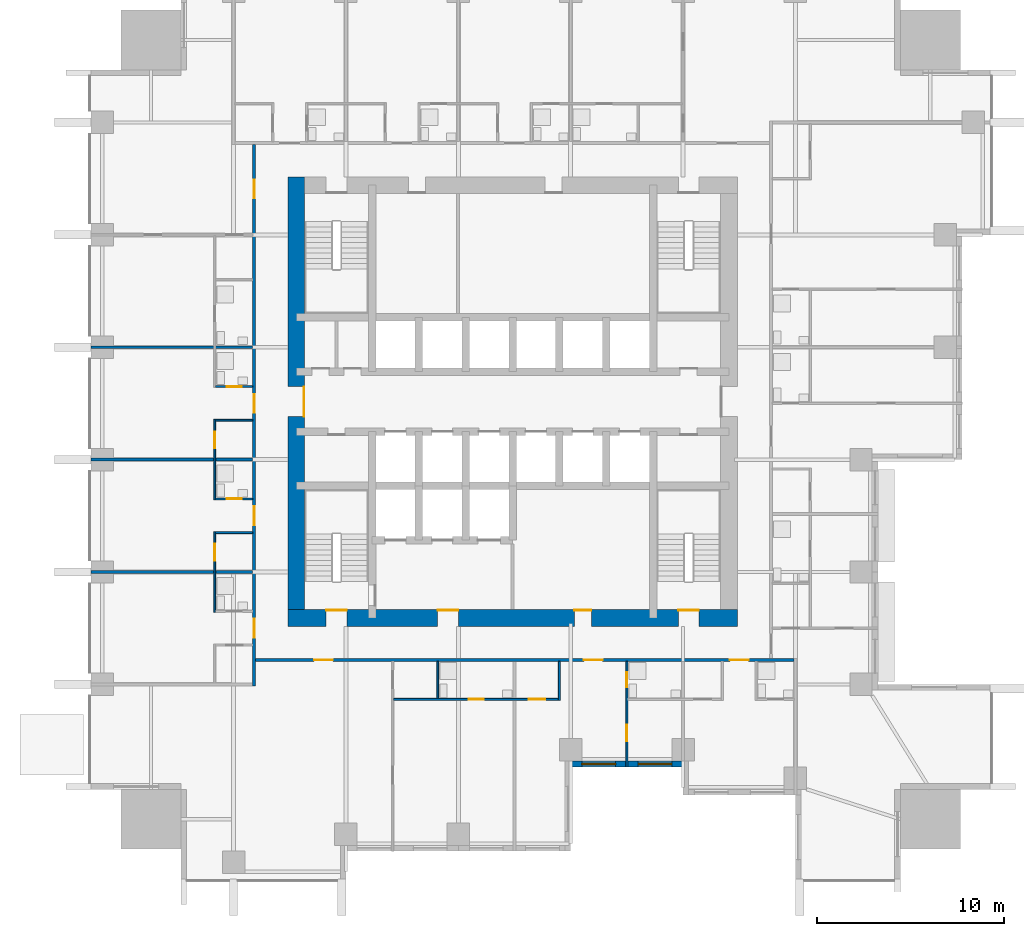
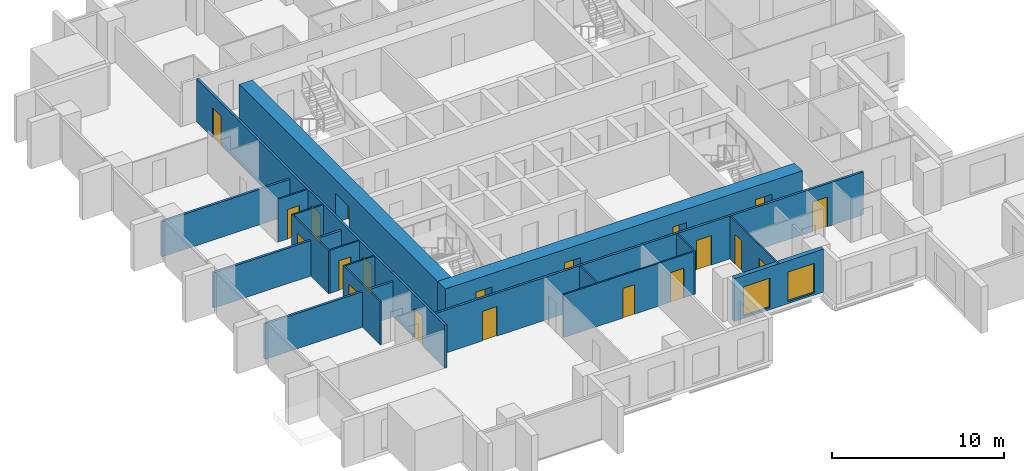
# One storey, part 4 of 10: 20 doors, 18 walls, 2 windows, 22 openings.
"""IFC4 building model written with IfcOpenShell, lengths in metres."""

from ifc_helpers import new_model, si_unit, direction, frame, frame_2d, origin, place, context, subcontext, project, spatial, rectangle, extrude, material, layer, layer_set, type_object, element, fill, save


model = new_model("IFC4")

# Units and contexts
model_context = context("Model", 3, precision=1e-05, world=origin(), true_north=direction((0.0, 1.0)))
body_context = subcontext(model_context, "Body", "Model", "MODEL_VIEW")
ifc_project = project(units=[si_unit("LENGTHUNIT", "METRE"), si_unit("AREAUNIT", "SQUARE_METRE"), si_unit("VOLUMEUNIT", "CUBIC_METRE"), si_unit("PLANEANGLEUNIT", "RADIAN"), si_unit("MASSUNIT", "GRAM", prefix="KILO")], contexts=[model_context])

# Site, building, storey
site_placement = place(None, origin())
site = spatial("IfcSite", under=ifc_project, at=site_placement, CompositionType="ELEMENT")
building_placement = place(site_placement, origin())
building = spatial("IfcBuilding", under=site, at=building_placement, Name="Amberfall Residences", CompositionType="ELEMENT")
storey_placement = place(building_placement, frame((0.0, 0.0, 26.800048828125)))
storey = spatial("IfcBuildingStorey", under=building, at=storey_placement, Name="L06", CompositionType="ELEMENT", Elevation=26.800048828125)

# Wall, openings, windows
ifc_material_1 = material(Name="Pale stone cladding on insulated backing", Category="masonry")
ifc_layer_1 = layer(ifc_material_1, 0.300048828125)
ifc_layer_set_1 = layer_set([ifc_layer_1], Name="Bronze clad wall 300")
wall_type_1 = type_object("IfcWallType", Name="Bronze clad wall 300", PredefinedType="SOLIDWALL", material=ifc_layer_set_1)
wall_1_placement = place(storey_placement, frame((77.60009765625, 26.14990234375, 0.0), z_axis=(0.0, 0.0, 1.0), x_axis=(1.0, 0.0, 0.0)))
wall_1 = element("IfcWall", 1, at=wall_1_placement, inside=storey, type_object=wall_type_1, Name="Stone wall L06 S", PredefinedType="SOLIDWALL", context=body_context, shape_type="SweptSolid", body=[
    extrude(rectangle(XDim=6.0, YDim=0.300048828125, at=frame_2d((3.0, 0.0))), origin(), (0.0, 0.0, 1.0), 3.050048828125),
])
opening_1_placement = place(wall_1_placement, frame((0.60009765625, 0.0, 0.14990234375)))
opening_1 = element("IfcOpeningElement", 2, at=opening_1_placement, cuts=wall_1, Name="Opening WN6", PredefinedType="OPENING", context=body_context, shape_type="SweptSolid", body=[
    extrude(rectangle(XDim=1.800048828125, YDim=2.10009765625, at=frame_2d((0.89990234375, 1.050048828125))), frame((0.0, 0.159912109375, 0.0), z_axis=(0.0, -1.0, 0.0), x_axis=(1.0, 0.0, 0.0)), (0.0, 0.0, 1.0), 0.320068359375),
])
opening_2_placement = place(wall_1_placement, frame((3.60009765625, 0.0, 0.14990234375)))
opening_2 = element("IfcOpeningElement", 3, at=opening_2_placement, cuts=wall_1, Name="Opening WN6", PredefinedType="OPENING", context=body_context, shape_type="SweptSolid", body=[
    extrude(rectangle(XDim=1.800048828125, YDim=2.10009765625, at=frame_2d((0.89990234375, 1.050048828125))), frame((0.0, 0.159912109375, 0.0), z_axis=(0.0, -1.0, 0.0), x_axis=(1.0, 0.0, 0.0)), (0.0, 0.0, 1.0), 0.320068359375),
])
ifc_material_2 = material(Name="Bronze aluminium framed glazing", Category="aluminium")
window_type = type_object("IfcWindowType", Name="Glazed opening 1800 x 2100 bronze", PartitioningType="DOUBLE_PANEL_VERTICAL", PredefinedType="WINDOW", material=ifc_material_2)
window_1_placement = place(opening_1_placement, origin())
window_1 = element("IfcWindow", 4, at=window_1_placement, inside=storey, type_object=window_type, Name="Window L06 S", OverallHeight=2.10009765625, OverallWidth=1.800048828125, PartitioningType="DOUBLE_PANEL_VERTICAL", PredefinedType="WINDOW", context=body_context, shape_type="SweptSolid", body=[
    extrude(rectangle(XDim=1.800048828125, YDim=2.10009765625, at=frame_2d((0.89990234375, 1.050048828125))), frame((0.0, 0.030029296875, 0.0), z_axis=(0.0, -1.0, 0.0), x_axis=(1.0, 0.0, 0.0)), (0.0, 0.0, 1.0), 0.06005859375),
])
fill(opening_1, window_1)
window_2_placement = place(opening_2_placement, origin())
window_2 = element("IfcWindow", 5, at=window_2_placement, inside=storey, type_object=window_type, Name="Window L06 S", OverallHeight=2.10009765625, OverallWidth=1.800048828125, PartitioningType="DOUBLE_PANEL_VERTICAL", PredefinedType="WINDOW", context=body_context, shape_type="SweptSolid", body=[
    extrude(rectangle(XDim=1.800048828125, YDim=2.10009765625, at=frame_2d((0.89990234375, 1.050048828125))), frame((0.0, 0.030029296875, 0.0), z_axis=(0.0, -1.0, 0.0), x_axis=(1.0, 0.0, 0.0)), (0.0, 0.0, 1.0), 0.06005859375),
])
fill(opening_2, window_2)

# Wall, openings, doors
ifc_material_3 = material(Name="Concrete C80", Category="concrete")
ifc_layer_2 = layer(ifc_material_3, 0.89990234375)
ifc_layer_set_2 = layer_set([ifc_layer_2], Name="Core wall 900 C80")
wall_type_2 = type_object("IfcWallType", Name="Core wall 900 C80", PredefinedType="SHEAR", material=ifc_layer_set_2)
wall_2_placement = place(storey_placement, frame((62.5, 33.949951171875, 0.0), z_axis=(0.0, 0.0, 1.0), x_axis=(1.0, 0.0, 0.0)))
wall_2 = element("IfcWall", 6, at=wall_2_placement, inside=storey, type_object=wall_type_2, Name="Core wall RW1 L06 OS", PredefinedType="SHEAR", context=body_context, shape_type="SweptSolid", body=[
    extrude(rectangle(XDim=24.0, YDim=0.89990234375, at=frame_2d((12.0, 0.0))), origin(), (0.0, 0.0, 1.0), 3.050048828125),
])
opening_3_placement = place(wall_2_placement, frame((2.050048828125, 0.0, 0.0)))
opening_3 = element("IfcOpeningElement", 7, at=opening_3_placement, cuts=wall_2, Name="Opening SD1", PredefinedType="OPENING", context=body_context, shape_type="SweptSolid", body=[
    extrude(rectangle(XDim=1.10009765625, YDim=2.10009765625, at=frame_2d((0.550048828125, 1.050048828125))), frame((0.0, 0.4599609375, 0.0), z_axis=(0.0, -1.0, 0.0), x_axis=(1.0, 0.0, 0.0)), (0.0, 0.0, 1.0), 0.919921875),
])
opening_4_placement = place(wall_2_placement, frame((20.85009765625, 0.0, 0.0)))
opening_4 = element("IfcOpeningElement", 8, at=opening_4_placement, cuts=wall_2, Name="Opening SD1", PredefinedType="OPENING", context=body_context, shape_type="SweptSolid", body=[
    extrude(rectangle(XDim=1.10009765625, YDim=2.10009765625, at=frame_2d((0.550048828125, 1.050048828125))), frame((0.0, 0.4599609375, 0.0), z_axis=(0.0, -1.0, 0.0), x_axis=(1.0, 0.0, 0.0)), (0.0, 0.0, 1.0), 0.919921875),
])
opening_5_placement = place(wall_2_placement, frame((8.0, 0.0, 0.0)))
opening_5 = element("IfcOpeningElement", 9, at=opening_5_placement, cuts=wall_2, Name="Opening FL1", PredefinedType="OPENING", context=body_context, shape_type="SweptSolid", body=[
    extrude(rectangle(XDim=1.10009765625, YDim=2.10009765625, at=frame_2d((0.550048828125, 1.050048828125))), frame((0.0, 0.4599609375, 0.0), z_axis=(0.0, -1.0, 0.0), x_axis=(1.0, 0.0, 0.0)), (0.0, 0.0, 1.0), 0.919921875),
])
opening_6_placement = place(wall_2_placement, frame((15.300048828125, 0.0, 0.0)))
opening_6 = element("IfcOpeningElement", 10, at=opening_6_placement, cuts=wall_2, Name="Opening RD1", PredefinedType="OPENING", context=body_context, shape_type="SweptSolid", body=[
    extrude(rectangle(XDim=0.89990234375, YDim=2.10009765625, at=frame_2d((0.449951171875, 1.050048828125))), frame((0.0, 0.4599609375, 0.0), z_axis=(0.0, -1.0, 0.0), x_axis=(1.0, 0.0, 0.0)), (0.0, 0.0, 1.0), 0.919921875),
])
ifc_material_4 = material(Name="Steel fire door set", Category="steel")
door_type_1 = type_object("IfcDoorType", Name="Firefighting lobby door 1100 x 2100", OperationType="SINGLE_SWING_LEFT", PredefinedType="DOOR", material=ifc_material_4)
door_1_placement = place(opening_5_placement, origin())
door_1 = element("IfcDoor", 11, at=door_1_placement, inside=storey, type_object=door_type_1, Name="FL1 L06", OperationType="SINGLE_SWING_LEFT", OverallHeight=2.10009765625, OverallWidth=1.10009765625, PredefinedType="DOOR", context=body_context, shape_type="SweptSolid", body=[
    extrude(rectangle(XDim=1.10009765625, YDim=2.10009765625, at=frame_2d((0.550048828125, 1.050048828125))), frame((0.0, 0.4375, 0.0), z_axis=(0.0, -1.0, 0.0), x_axis=(1.0, 0.0, 0.0)), (0.0, 0.0, 1.0), 0.050048828125),
])
fill(opening_5, door_1)
door_type_2 = type_object("IfcDoorType", Name="Service room door 900 x 2100", OperationType="SINGLE_SWING_LEFT", PredefinedType="DOOR", material=ifc_material_4)
door_2_placement = place(opening_6_placement, origin())
door_2 = element("IfcDoor", 12, at=door_2_placement, inside=storey, type_object=door_type_2, Name="RD1 L06", OperationType="SINGLE_SWING_LEFT", OverallHeight=2.10009765625, OverallWidth=0.89990234375, PredefinedType="DOOR", context=body_context, shape_type="SweptSolid", body=[
    extrude(rectangle(XDim=0.89990234375, YDim=2.10009765625, at=frame_2d((0.449951171875, 1.050048828125))), frame((0.0, 0.4375, 0.0), z_axis=(0.0, -1.0, 0.0), x_axis=(1.0, 0.0, 0.0)), (0.0, 0.0, 1.0), 0.050048828125),
])
fill(opening_6, door_2)
door_type_3 = type_object("IfcDoorType", Name="Stair door 1100 x 2100", OperationType="SINGLE_SWING_LEFT", PredefinedType="DOOR", material=ifc_material_4)
door_3_placement = place(opening_3_placement, origin())
door_3 = element("IfcDoor", 13, at=door_3_placement, inside=storey, type_object=door_type_3, Name="SD1 L06", OperationType="SINGLE_SWING_LEFT", OverallHeight=2.10009765625, OverallWidth=1.10009765625, PredefinedType="DOOR", context=body_context, shape_type="SweptSolid", body=[
    extrude(rectangle(XDim=1.10009765625, YDim=2.10009765625, at=frame_2d((0.550048828125, 1.050048828125))), frame((0.0, 0.4375, 0.0), z_axis=(0.0, -1.0, 0.0), x_axis=(1.0, 0.0, 0.0)), (0.0, 0.0, 1.0), 0.050048828125),
])
fill(opening_3, door_3)
door_4_placement = place(opening_4_placement, origin())
door_4 = element("IfcDoor", 14, at=door_4_placement, inside=storey, type_object=door_type_3, Name="SD1 L06", OperationType="SINGLE_SWING_RIGHT", OverallHeight=2.10009765625, OverallWidth=1.10009765625, PredefinedType="DOOR", context=body_context, shape_type="SweptSolid", body=[
    extrude(rectangle(XDim=1.10009765625, YDim=2.10009765625, at=frame_2d((0.550048828125, 1.050048828125))), frame((0.0, 0.4375, 0.0), z_axis=(0.0, -1.0, 0.0), x_axis=(1.0, 0.0, 0.0)), (0.0, 0.0, 1.0), 0.050048828125),
])
fill(opening_4, door_4)

# Wall, opening, door
wall_3_placement = place(storey_placement, frame((62.949951171875, 33.5, 0.0), z_axis=(0.0, 0.0, 1.0), x_axis=(0.0, 1.0, 0.0)))
wall_3 = element("IfcWall", 15, at=wall_3_placement, inside=storey, type_object=wall_type_2, Name="Core wall RW1 L06 OW", PredefinedType="SHEAR", context=body_context, shape_type="SweptSolid", body=[
    extrude(rectangle(XDim=24.0, YDim=0.89990234375, at=frame_2d((12.0, 0.0))), origin(), (0.0, 0.0, 1.0), 3.050048828125),
])
opening_7_placement = place(wall_3_placement, frame((11.199951171875, 0.0, 0.0)))
opening_7 = element("IfcOpeningElement", 16, at=opening_7_placement, cuts=wall_3, Name="Opening LB1", PredefinedType="OPENING", context=body_context, shape_type="SweptSolid", body=[
    extrude(rectangle(XDim=1.60009765625, YDim=2.10009765625, at=frame_2d((0.800048828125, 1.050048828125))), frame((0.0, 0.4599609375, 0.0), z_axis=(0.0, -1.0, 0.0), x_axis=(1.0, 0.0, 0.0)), (0.0, 0.0, 1.0), 0.919921875),
])
door_type_4 = type_object("IfcDoorType", Name="Lift lobby double door 1600 x 2100", OperationType="DOUBLE_DOOR_SINGLE_SWING", PredefinedType="DOOR", material=ifc_material_4)
door_5_placement = place(opening_7_placement, origin())
door_5 = element("IfcDoor", 17, at=door_5_placement, inside=storey, type_object=door_type_4, Name="LB1 L06", OperationType="DOUBLE_DOOR_SINGLE_SWING", OverallHeight=2.10009765625, OverallWidth=1.60009765625, PredefinedType="DOOR", context=body_context, shape_type="SweptSolid", body=[
    extrude(rectangle(XDim=1.60009765625, YDim=2.10009765625, at=frame_2d((0.800048828125, 1.050048828125))), frame((0.0, -0.3876953125, 0.0), z_axis=(0.0, -1.0, 0.0), x_axis=(1.0, 0.0, 0.0)), (0.0, 0.0, 1.0), 0.050048828125),
])
fill(opening_7, door_5)

ifc_material_5 = material(Name="Gypsum board on metal stud")
ifc_layer_3 = layer(ifc_material_5, 0.10009765625)
ifc_layer_set_3 = layer_set([ifc_layer_3], Name="Flat partition 100")
wall_type_3 = type_object("IfcWallType", Name="Flat partition 100", PredefinedType="PARTITIONING", material=ifc_layer_set_3)
wall_4_placement = place(storey_placement, frame((58.60009765625, 38.550048828125, 0.0), z_axis=(0.0, 0.0, 1.0), x_axis=(0.0, -1.0, 0.0)))
wall_4 = element("IfcWall", 18, at=wall_4_placement, inside=storey, type_object=wall_type_3, Name="Partition 002", PredefinedType="PARTITIONING", context=body_context, shape_type="SweptSolid", body=[
    extrude(rectangle(XDim=4.300048828125, YDim=0.10009765625, at=frame_2d((2.14990234375, 0.0))), origin(), (0.0, 0.0, 1.0), 3.050048828125),
])
opening_8_placement = place(wall_4_placement, frame((0.64990234375, 0.0, 0.0)))
opening_8 = element("IfcOpeningElement", 19, at=opening_8_placement, cuts=wall_4, Name="Opening D41", PredefinedType="OPENING", context=body_context, shape_type="SweptSolid", body=[
    extrude(rectangle(XDim=0.89990234375, YDim=2.10009765625, at=frame_2d((0.449951171875, 1.050048828125))), frame((0.0, 0.06005859375, 0.0), z_axis=(0.0, -1.0, 0.0), x_axis=(1.0, 0.0, 0.0)), (0.0, 0.0, 1.0), 0.1201171875),
])
ifc_material_6 = material(Name="Timber", Category="wood")
door_type_5 = type_object("IfcDoorType", Name="Internal door 900 x 2100", OperationType="SINGLE_SWING_LEFT", PredefinedType="DOOR", material=ifc_material_6)
door_6_placement = place(opening_8_placement, origin())
door_6 = element("IfcDoor", 20, at=door_6_placement, inside=storey, type_object=door_type_5, Name="Door 0612 kitchen", OperationType="SINGLE_SWING_LEFT", OverallHeight=2.10009765625, OverallWidth=0.89990234375, PredefinedType="DOOR", context=body_context, shape_type="SweptSolid", body=[
    extrude(rectangle(XDim=0.89990234375, YDim=2.10009765625, at=frame_2d((0.449951171875, 1.050048828125))), frame((0.0, 0.02490234375, 0.0), z_axis=(0.0, -1.0, 0.0), x_axis=(1.0, 0.0, 0.0)), (0.0, 0.0, 1.0), 0.050048828125),
])
fill(opening_8, door_6)

wall_5_placement = place(storey_placement, frame((58.60009765625, 44.550048828125, 0.0), z_axis=(0.0, 0.0, 1.0), x_axis=(0.0, -1.0, 0.0)))
wall_5 = element("IfcWall", 21, at=wall_5_placement, inside=storey, type_object=wall_type_3, Name="Partition 003", PredefinedType="PARTITIONING", context=body_context, shape_type="SweptSolid", body=[
    extrude(rectangle(XDim=4.300048828125, YDim=0.10009765625, at=frame_2d((2.14990234375, 0.0))), origin(), (0.0, 0.0, 1.0), 3.050048828125),
])
opening_9_placement = place(wall_5_placement, frame((0.64990234375, 0.0, 0.0)))
opening_9 = element("IfcOpeningElement", 22, at=opening_9_placement, cuts=wall_5, Name="Opening D41", PredefinedType="OPENING", context=body_context, shape_type="SweptSolid", body=[
    extrude(rectangle(XDim=0.89990234375, YDim=2.10009765625, at=frame_2d((0.449951171875, 1.050048828125))), frame((0.0, 0.06005859375, 0.0), z_axis=(0.0, -1.0, 0.0), x_axis=(1.0, 0.0, 0.0)), (0.0, 0.0, 1.0), 0.1201171875),
])
door_7_placement = place(opening_9_placement, origin())
door_7 = element("IfcDoor", 23, at=door_7_placement, inside=storey, type_object=door_type_5, Name="Door 0613 kitchen", OperationType="SINGLE_SWING_LEFT", OverallHeight=2.10009765625, OverallWidth=0.89990234375, PredefinedType="DOOR", context=body_context, shape_type="SweptSolid", body=[
    extrude(rectangle(XDim=0.89990234375, YDim=2.10009765625, at=frame_2d((0.449951171875, 1.050048828125))), frame((0.0, 0.02490234375, 0.0), z_axis=(0.0, -1.0, 0.0), x_axis=(1.0, 0.0, 0.0)), (0.0, 0.0, 1.0), 0.050048828125),
])
fill(opening_9, door_7)

# Walls
wall_6_placement = place(storey_placement, frame((70.5, 29.64990234375, 0.0), z_axis=(0.0, 0.0, 1.0), x_axis=(0.0, 1.0, 0.0)))
element("IfcWall", 24, at=wall_6_placement, inside=storey, type_object=wall_type_3, Name="Partition 010", PredefinedType="PARTITIONING", context=body_context, shape_type="SweptSolid", body=[
    extrude(rectangle(XDim=1.97509765625, YDim=0.10009765625, at=frame_2d((0.987548828125, 0.0))), origin(), (0.0, 0.0, 1.0), 3.050048828125),
])
wall_7_placement = place(storey_placement, frame((77.0, 29.550048828125, 0.0), z_axis=(0.0, 0.0, 1.0), x_axis=(0.0, 1.0, 0.0)))
element("IfcWall", 25, at=wall_7_placement, inside=storey, type_object=wall_type_3, Name="Partition 013", PredefinedType="PARTITIONING", context=body_context, shape_type="SweptSolid", body=[
    extrude(rectangle(XDim=2.074951171875, YDim=0.10009765625, at=frame_2d((1.03759765625, 0.0))), origin(), (0.0, 0.0, 1.0), 3.050048828125),
])

# Wall, openings, doors
wall_8_placement = place(storey_placement, frame((80.60009765625, 31.625, 0.0), z_axis=(0.0, 0.0, 1.0), x_axis=(0.0, -1.0, 0.0)))
wall_8 = element("IfcWall", 26, at=wall_8_placement, inside=storey, type_object=wall_type_3, Name="Partition 014", PredefinedType="PARTITIONING", context=body_context, shape_type="SweptSolid", body=[
    extrude(rectangle(XDim=5.625, YDim=0.10009765625, at=frame_2d((2.8125, 0.0))), origin(), (0.0, 0.0, 1.0), 3.050048828125),
])
opening_10_placement = place(wall_8_placement, frame((3.375, 0.0, 0.0)))
opening_10 = element("IfcOpeningElement", 27, at=opening_10_placement, cuts=wall_8, Name="Opening D41", PredefinedType="OPENING", context=body_context, shape_type="SweptSolid", body=[
    extrude(rectangle(XDim=0.89990234375, YDim=2.10009765625, at=frame_2d((0.449951171875, 1.050048828125))), frame((0.0, 0.06005859375, 0.0), z_axis=(0.0, -1.0, 0.0), x_axis=(1.0, 0.0, 0.0)), (0.0, 0.0, 1.0), 0.1201171875),
])
opening_11_placement = place(wall_8_placement, frame((0.574951171875, 0.0, 0.0)))
opening_11 = element("IfcOpeningElement", 28, at=opening_11_placement, cuts=wall_8, Name="Opening D42", PredefinedType="OPENING", context=body_context, shape_type="SweptSolid", body=[
    extrude(rectangle(XDim=0.800048828125, YDim=2.10009765625, at=frame_2d((0.39990234375, 1.050048828125))), frame((0.0, 0.06005859375, 0.0), z_axis=(0.0, -1.0, 0.0), x_axis=(1.0, 0.0, 0.0)), (0.0, 0.0, 1.0), 0.1201171875),
])
door_type_6 = type_object("IfcDoorType", Name="Bathroom door 800 x 2100", OperationType="SINGLE_SWING_LEFT", PredefinedType="DOOR", material=ifc_material_6)
door_8_placement = place(opening_11_placement, origin())
door_8 = element("IfcDoor", 29, at=door_8_placement, inside=storey, type_object=door_type_6, Name="Door 0602 bath1", OperationType="SINGLE_SWING_LEFT", OverallHeight=2.10009765625, OverallWidth=0.800048828125, PredefinedType="DOOR", context=body_context, shape_type="SweptSolid", body=[
    extrude(rectangle(XDim=0.800048828125, YDim=2.10009765625, at=frame_2d((0.39990234375, 1.050048828125))), frame((0.0, 0.02490234375, 0.0), z_axis=(0.0, -1.0, 0.0), x_axis=(1.0, 0.0, 0.0)), (0.0, 0.0, 1.0), 0.050048828125),
])
fill(opening_11, door_8)
door_9_placement = place(opening_10_placement, origin())
door_9 = element("IfcDoor", 30, at=door_9_placement, inside=storey, type_object=door_type_5, Name="Door 0602 bedroom1", OperationType="SINGLE_SWING_LEFT", OverallHeight=2.10009765625, OverallWidth=0.89990234375, PredefinedType="DOOR", context=body_context, shape_type="SweptSolid", body=[
    extrude(rectangle(XDim=0.89990234375, YDim=2.10009765625, at=frame_2d((0.449951171875, 1.050048828125))), frame((0.0, 0.02490234375, 0.0), z_axis=(0.0, -1.0, 0.0), x_axis=(1.0, 0.0, 0.0)), (0.0, 0.0, 1.0), 0.050048828125),
])
fill(opening_10, door_9)

# Wall, opening, door
wall_9_placement = place(storey_placement, frame((58.64990234375, 46.300048828125, 0.0), z_axis=(0.0, 0.0, 1.0), x_axis=(1.0, 0.0, 0.0)))
wall_9 = element("IfcWall", 31, at=wall_9_placement, inside=storey, type_object=wall_type_3, Name="Partition 031", PredefinedType="PARTITIONING", context=body_context, shape_type="SweptSolid", body=[
    extrude(rectangle(XDim=1.97509765625, YDim=0.10009765625, at=frame_2d((0.987548828125, 0.0))), origin(), (0.0, 0.0, 1.0), 3.050048828125),
])
opening_12_placement = place(wall_9_placement, frame((0.60009765625, 0.0, 0.0)))
opening_12 = element("IfcOpeningElement", 32, at=opening_12_placement, cuts=wall_9, Name="Opening D42", PredefinedType="OPENING", context=body_context, shape_type="SweptSolid", body=[
    extrude(rectangle(XDim=0.800048828125, YDim=2.10009765625, at=frame_2d((0.39990234375, 1.050048828125))), frame((0.0, 0.06005859375, 0.0), z_axis=(0.0, -1.0, 0.0), x_axis=(1.0, 0.0, 0.0)), (0.0, 0.0, 1.0), 0.1201171875),
])
door_10_placement = place(opening_12_placement, origin())
door_10 = element("IfcDoor", 33, at=door_10_placement, inside=storey, type_object=door_type_6, Name="Door 0613 bath1", OperationType="SINGLE_SWING_LEFT", OverallHeight=2.10009765625, OverallWidth=0.800048828125, PredefinedType="DOOR", context=body_context, shape_type="SweptSolid", body=[
    extrude(rectangle(XDim=0.800048828125, YDim=2.10009765625, at=frame_2d((0.39990234375, 1.050048828125))), frame((0.0, 0.02490234375, 0.0), z_axis=(0.0, -1.0, 0.0), x_axis=(1.0, 0.0, 0.0)), (0.0, 0.0, 1.0), 0.050048828125),
])
fill(opening_12, door_10)

# Wall
wall_10_placement = place(storey_placement, frame((58.64990234375, 44.5, 0.0), z_axis=(0.0, 0.0, 1.0), x_axis=(1.0, 0.0, 0.0)))
element("IfcWall", 34, at=wall_10_placement, inside=storey, type_object=wall_type_3, Name="Partition 033", PredefinedType="PARTITIONING", context=body_context, shape_type="SweptSolid", body=[
    extrude(rectangle(XDim=1.97509765625, YDim=0.10009765625, at=frame_2d((0.987548828125, 0.0))), origin(), (0.0, 0.0, 1.0), 3.050048828125),
])

# Wall, opening, door
wall_11_placement = place(storey_placement, frame((58.64990234375, 40.300048828125, 0.0), z_axis=(0.0, 0.0, 1.0), x_axis=(1.0, 0.0, 0.0)))
wall_11 = element("IfcWall", 35, at=wall_11_placement, inside=storey, type_object=wall_type_3, Name="Partition 035", PredefinedType="PARTITIONING", context=body_context, shape_type="SweptSolid", body=[
    extrude(rectangle(XDim=1.97509765625, YDim=0.10009765625, at=frame_2d((0.987548828125, 0.0))), origin(), (0.0, 0.0, 1.0), 3.050048828125),
])
opening_13_placement = place(wall_11_placement, frame((0.60009765625, 0.0, 0.0)))
opening_13 = element("IfcOpeningElement", 36, at=opening_13_placement, cuts=wall_11, Name="Opening D42", PredefinedType="OPENING", context=body_context, shape_type="SweptSolid", body=[
    extrude(rectangle(XDim=0.800048828125, YDim=2.10009765625, at=frame_2d((0.39990234375, 1.050048828125))), frame((0.0, 0.06005859375, 0.0), z_axis=(0.0, -1.0, 0.0), x_axis=(1.0, 0.0, 0.0)), (0.0, 0.0, 1.0), 0.1201171875),
])
door_11_placement = place(opening_13_placement, origin())
door_11 = element("IfcDoor", 37, at=door_11_placement, inside=storey, type_object=door_type_6, Name="Door 0612 bath1", OperationType="SINGLE_SWING_LEFT", OverallHeight=2.10009765625, OverallWidth=0.800048828125, PredefinedType="DOOR", context=body_context, shape_type="SweptSolid", body=[
    extrude(rectangle(XDim=0.800048828125, YDim=2.10009765625, at=frame_2d((0.39990234375, 1.050048828125))), frame((0.0, 0.02490234375, 0.0), z_axis=(0.0, -1.0, 0.0), x_axis=(1.0, 0.0, 0.0)), (0.0, 0.0, 1.0), 0.050048828125),
])
fill(opening_13, door_11)

# Wall
wall_12_placement = place(storey_placement, frame((58.64990234375, 38.5, 0.0), z_axis=(0.0, 0.0, 1.0), x_axis=(1.0, 0.0, 0.0)))
element("IfcWall", 38, at=wall_12_placement, inside=storey, type_object=wall_type_3, Name="Partition 036", PredefinedType="PARTITIONING", context=body_context, shape_type="SweptSolid", body=[
    extrude(rectangle(XDim=1.97509765625, YDim=0.10009765625, at=frame_2d((0.987548828125, 0.0))), origin(), (0.0, 0.0, 1.0), 3.050048828125),
])

# Wall, openings, doors
wall_13_placement = place(storey_placement, frame((68.14990234375, 29.60009765625, 0.0), z_axis=(0.0, 0.0, 1.0), x_axis=(1.0, 0.0, 0.0)))
wall_13 = element("IfcWall", 39, at=wall_13_placement, inside=storey, type_object=wall_type_3, Name="Partition 041", PredefinedType="PARTITIONING", context=body_context, shape_type="SweptSolid", body=[
    extrude(rectangle(XDim=8.800048828125, YDim=0.10009765625, at=frame_2d((4.39990234375, 0.0))), origin(), (0.0, 0.0, 1.0), 3.050048828125),
])
opening_14_placement = place(wall_13_placement, frame((4.0, 0.0, 0.0)))
opening_14 = element("IfcOpeningElement", 40, at=opening_14_placement, cuts=wall_13, Name="Opening D42", PredefinedType="OPENING", context=body_context, shape_type="SweptSolid", body=[
    extrude(rectangle(XDim=0.800048828125, YDim=2.10009765625, at=frame_2d((0.39990234375, 1.050048828125))), frame((0.0, 0.06005859375, 0.0), z_axis=(0.0, -1.0, 0.0), x_axis=(1.0, 0.0, 0.0)), (0.0, 0.0, 1.0), 0.1201171875),
])
opening_15_placement = place(wall_13_placement, frame((7.199951171875, 0.0, 0.0)))
opening_15 = element("IfcOpeningElement", 41, at=opening_15_placement, cuts=wall_13, Name="Opening D41", PredefinedType="OPENING", context=body_context, shape_type="SweptSolid", body=[
    extrude(rectangle(XDim=0.89990234375, YDim=2.10009765625, at=frame_2d((0.449951171875, 1.050048828125))), frame((0.0, 0.06005859375, 0.0), z_axis=(0.0, -1.0, 0.0), x_axis=(1.0, 0.0, 0.0)), (0.0, 0.0, 1.0), 0.1201171875),
])
door_12_placement = place(opening_14_placement, origin())
door_12 = element("IfcDoor", 42, at=door_12_placement, inside=storey, type_object=door_type_6, Name="Door 0601 bath1", OperationType="SINGLE_SWING_LEFT", OverallHeight=2.10009765625, OverallWidth=0.800048828125, PredefinedType="DOOR", context=body_context, shape_type="SweptSolid", body=[
    extrude(rectangle(XDim=0.800048828125, YDim=2.10009765625, at=frame_2d((0.39990234375, 1.050048828125))), frame((0.0, 0.02490234375, 0.0), z_axis=(0.0, -1.0, 0.0), x_axis=(1.0, 0.0, 0.0)), (0.0, 0.0, 1.0), 0.050048828125),
])
fill(opening_14, door_12)
door_13_placement = place(opening_15_placement, origin())
door_13 = element("IfcDoor", 43, at=door_13_placement, inside=storey, type_object=door_type_5, Name="Door 0602 kitchen", OperationType="SINGLE_SWING_LEFT", OverallHeight=2.10009765625, OverallWidth=0.89990234375, PredefinedType="DOOR", context=body_context, shape_type="SweptSolid", body=[
    extrude(rectangle(XDim=0.89990234375, YDim=2.10009765625, at=frame_2d((0.449951171875, 1.050048828125))), frame((0.0, 0.02490234375, 0.0), z_axis=(0.0, -1.0, 0.0), x_axis=(1.0, 0.0, 0.0)), (0.0, 0.0, 1.0), 0.050048828125),
])
fill(opening_15, door_13)

ifc_material_7 = material(Name="Blockwork, plastered", Category="masonry")
ifc_layer_4 = layer(ifc_material_7, 0.14990234375)
ifc_layer_set_4 = layer_set([ifc_layer_4], Name="Flat separating wall 150")
wall_type_4 = type_object("IfcWallType", Name="Flat separating wall 150", PredefinedType="PARTITIONING", material=ifc_layer_set_4)
wall_14_placement = place(storey_placement, frame((60.699951171875, 30.324951171875, 0.0), z_axis=(0.0, 0.0, 1.0), x_axis=(0.0, 1.0, 0.0)))
wall_14 = element("IfcWall", 44, at=wall_14_placement, inside=storey, type_object=wall_type_4, Name="Separating wall 045", PredefinedType="PARTITIONING", context=body_context, shape_type="SweptSolid", body=[
    extrude(rectangle(XDim=28.900146484375, YDim=0.14990234375, at=frame_2d((14.4501953125, 0.0))), origin(), (0.0, 0.0, 1.0), 3.050048828125),
])
opening_16_placement = place(wall_14_placement, frame((2.574951171875, 0.0, 0.0)))
opening_16 = element("IfcOpeningElement", 45, at=opening_16_placement, cuts=wall_14, Name="Opening D40", PredefinedType="OPENING", context=body_context, shape_type="SweptSolid", body=[
    extrude(rectangle(XDim=1.0, YDim=2.10009765625, at=frame_2d((0.5, 1.050048828125))), frame((0.0, 0.0849609375, 0.0), z_axis=(0.0, -1.0, 0.0), x_axis=(1.0, 0.0, 0.0)), (0.0, 0.0, 1.0), 0.169921875),
])
opening_17_placement = place(wall_14_placement, frame((8.574951171875, 0.0, 0.0)))
opening_17 = element("IfcOpeningElement", 46, at=opening_17_placement, cuts=wall_14, Name="Opening D40", PredefinedType="OPENING", context=body_context, shape_type="SweptSolid", body=[
    extrude(rectangle(XDim=1.0, YDim=2.10009765625, at=frame_2d((0.5, 1.050048828125))), frame((0.0, 0.0849609375, 0.0), z_axis=(0.0, -1.0, 0.0), x_axis=(1.0, 0.0, 0.0)), (0.0, 0.0, 1.0), 0.169921875),
])
opening_18_placement = place(wall_14_placement, frame((14.574951171875, 0.0, 0.0)))
opening_18 = element("IfcOpeningElement", 47, at=opening_18_placement, cuts=wall_14, Name="Opening D40", PredefinedType="OPENING", context=body_context, shape_type="SweptSolid", body=[
    extrude(rectangle(XDim=1.0, YDim=2.10009765625, at=frame_2d((0.5, 1.050048828125))), frame((0.0, 0.0849609375, 0.0), z_axis=(0.0, -1.0, 0.0), x_axis=(1.0, 0.0, 0.0)), (0.0, 0.0, 1.0), 0.169921875),
])
opening_19_placement = place(wall_14_placement, frame((26.02490234375, 0.0, 0.0)))
opening_19 = element("IfcOpeningElement", 48, at=opening_19_placement, cuts=wall_14, Name="Opening D40", PredefinedType="OPENING", context=body_context, shape_type="SweptSolid", body=[
    extrude(rectangle(XDim=1.0, YDim=2.10009765625, at=frame_2d((0.5, 1.050048828125))), frame((0.0, 0.0849609375, 0.0), z_axis=(0.0, -1.0, 0.0), x_axis=(1.0, 0.0, 0.0)), (0.0, 0.0, 1.0), 0.169921875),
])
ifc_material_8 = material(Name="Timber, fire-rated", Category="wood")
door_type_7 = type_object("IfcDoorType", Name="Flat entrance door FD60 1000 x 2100", OperationType="SINGLE_SWING_LEFT", PredefinedType="DOOR", material=ifc_material_8)
door_14_placement = place(opening_16_placement, origin())
door_14 = element("IfcDoor", 49, at=door_14_placement, inside=storey, type_object=door_type_7, Name="Door 0611 entrance", OperationType="SINGLE_SWING_LEFT", OverallHeight=2.10009765625, OverallWidth=1.0, PredefinedType="DOOR", context=body_context, shape_type="SweptSolid", body=[
    extrude(rectangle(XDim=1.0, YDim=2.10009765625, at=frame_2d((0.5, 1.050048828125))), frame((0.0, 0.02490234375, 0.0), z_axis=(0.0, -1.0, 0.0), x_axis=(1.0, 0.0, 0.0)), (0.0, 0.0, 1.0), 0.050048828125),
])
fill(opening_16, door_14)
door_15_placement = place(opening_17_placement, origin())
door_15 = element("IfcDoor", 50, at=door_15_placement, inside=storey, type_object=door_type_7, Name="Door 0612 entrance", OperationType="SINGLE_SWING_LEFT", OverallHeight=2.10009765625, OverallWidth=1.0, PredefinedType="DOOR", context=body_context, shape_type="SweptSolid", body=[
    extrude(rectangle(XDim=1.0, YDim=2.10009765625, at=frame_2d((0.5, 1.050048828125))), frame((0.0, 0.02490234375, 0.0), z_axis=(0.0, -1.0, 0.0), x_axis=(1.0, 0.0, 0.0)), (0.0, 0.0, 1.0), 0.050048828125),
])
fill(opening_17, door_15)
door_16_placement = place(opening_18_placement, origin())
door_16 = element("IfcDoor", 51, at=door_16_placement, inside=storey, type_object=door_type_7, Name="Door 0613 entrance", OperationType="SINGLE_SWING_LEFT", OverallHeight=2.10009765625, OverallWidth=1.0, PredefinedType="DOOR", context=body_context, shape_type="SweptSolid", body=[
    extrude(rectangle(XDim=1.0, YDim=2.10009765625, at=frame_2d((0.5, 1.050048828125))), frame((0.0, 0.02490234375, 0.0), z_axis=(0.0, -1.0, 0.0), x_axis=(1.0, 0.0, 0.0)), (0.0, 0.0, 1.0), 0.050048828125),
])
fill(opening_18, door_16)
door_17_placement = place(opening_19_placement, origin())
door_17 = element("IfcDoor", 52, at=door_17_placement, inside=storey, type_object=door_type_7, Name="Door 0614 entrance", OperationType="SINGLE_SWING_LEFT", OverallHeight=2.10009765625, OverallWidth=1.0, PredefinedType="DOOR", context=body_context, shape_type="SweptSolid", body=[
    extrude(rectangle(XDim=1.0, YDim=2.10009765625, at=frame_2d((0.5, 1.050048828125))), frame((0.0, 0.02490234375, 0.0), z_axis=(0.0, -1.0, 0.0), x_axis=(1.0, 0.0, 0.0)), (0.0, 0.0, 1.0), 0.050048828125),
])
fill(opening_19, door_17)

# Walls
for number, where, z_axis, x_axis, name in (
    (53, (52.0, 48.39990234375, 0.0), (0.0, 0.0, 1.0), (1.0, 0.0, 0.0), "Separating wall 055"),
    (54, (52.0, 42.39990234375, 0.0), (0.0, 0.0, 1.0), (1.0, 0.0, 0.0), "Separating wall 057"),
    (55, (52.0, 36.39990234375, 0.0), (0.0, 0.0, 1.0), (1.0, 0.0, 0.0), "Separating wall 059"),
):
    element("IfcWall", number, at=place(storey_placement, frame(where, z_axis=z_axis, x_axis=x_axis)), inside=storey, type_object=wall_type_4, Name=name, PredefinedType="PARTITIONING", context=body_context, shape_type="SweptSolid", body=[
        extrude(rectangle(XDim=8.625, YDim=0.14990234375, at=frame_2d((4.3125, 0.0))), origin(), (0.0, 0.0, 1.0), 2.515869140625),
    ])

# Wall, openings, doors
wall_15_placement = place(storey_placement, frame((89.52490234375, 31.699951171875, 0.0), z_axis=(0.0, 0.0, 1.0), x_axis=(-1.0, 0.0, 0.0)))
wall_15 = element("IfcWall", 56, at=wall_15_placement, inside=storey, type_object=wall_type_4, Name="Separating wall 060", PredefinedType="PARTITIONING", context=body_context, shape_type="SweptSolid", body=[
    extrude(rectangle(XDim=28.75, YDim=0.14990234375, at=frame_2d((14.375, 0.0))), origin(), (0.0, 0.0, 1.0), 3.050048828125),
])
opening_20_placement = place(wall_15_placement, frame((24.625, 0.0, 0.0)))
opening_20 = element("IfcOpeningElement", 57, at=opening_20_placement, cuts=wall_15, Name="Opening D40", PredefinedType="OPENING", context=body_context, shape_type="SweptSolid", body=[
    extrude(rectangle(XDim=1.0, YDim=2.10009765625, at=frame_2d((0.5, 1.050048828125))), frame((0.0, 0.0849609375, 0.0), z_axis=(0.0, -1.0, 0.0), x_axis=(1.0, 0.0, 0.0)), (0.0, 0.0, 1.0), 0.169921875),
])
opening_21_placement = place(wall_15_placement, frame((10.22509765625, 0.0, 0.0)))
opening_21 = element("IfcOpeningElement", 58, at=opening_21_placement, cuts=wall_15, Name="Opening D40", PredefinedType="OPENING", context=body_context, shape_type="SweptSolid", body=[
    extrude(rectangle(XDim=1.0, YDim=2.10009765625, at=frame_2d((0.5, 1.050048828125))), frame((0.0, 0.0849609375, 0.0), z_axis=(0.0, -1.0, 0.0), x_axis=(1.0, 0.0, 0.0)), (0.0, 0.0, 1.0), 0.169921875),
])
opening_22_placement = place(wall_15_placement, frame((2.425048828125, 0.0, 0.0)))
opening_22 = element("IfcOpeningElement", 59, at=opening_22_placement, cuts=wall_15, Name="Opening D40", PredefinedType="OPENING", context=body_context, shape_type="SweptSolid", body=[
    extrude(rectangle(XDim=1.0, YDim=2.10009765625, at=frame_2d((0.5, 1.050048828125))), frame((0.0, 0.0849609375, 0.0), z_axis=(0.0, -1.0, 0.0), x_axis=(1.0, 0.0, 0.0)), (0.0, 0.0, 1.0), 0.169921875),
])
door_18_placement = place(opening_20_placement, origin())
door_18 = element("IfcDoor", 60, at=door_18_placement, inside=storey, type_object=door_type_7, Name="Door 0601 entrance", OperationType="SINGLE_SWING_LEFT", OverallHeight=2.10009765625, OverallWidth=1.0, PredefinedType="DOOR", context=body_context, shape_type="SweptSolid", body=[
    extrude(rectangle(XDim=1.0, YDim=2.10009765625, at=frame_2d((0.5, 1.050048828125))), frame((0.0, 0.02490234375, 0.0), z_axis=(0.0, -1.0, 0.0), x_axis=(1.0, 0.0, 0.0)), (0.0, 0.0, 1.0), 0.050048828125),
])
fill(opening_20, door_18)
door_19_placement = place(opening_21_placement, origin())
door_19 = element("IfcDoor", 61, at=door_19_placement, inside=storey, type_object=door_type_7, Name="Door 0602 entrance", OperationType="SINGLE_SWING_LEFT", OverallHeight=2.10009765625, OverallWidth=1.0, PredefinedType="DOOR", context=body_context, shape_type="SweptSolid", body=[
    extrude(rectangle(XDim=1.0, YDim=2.10009765625, at=frame_2d((0.5, 1.050048828125))), frame((0.0, 0.02490234375, 0.0), z_axis=(0.0, -1.0, 0.0), x_axis=(1.0, 0.0, 0.0)), (0.0, 0.0, 1.0), 0.050048828125),
])
fill(opening_21, door_19)
door_20_placement = place(opening_22_placement, origin())
door_20 = element("IfcDoor", 62, at=door_20_placement, inside=storey, type_object=door_type_7, Name="Door 0603 entrance", OperationType="SINGLE_SWING_LEFT", OverallHeight=2.10009765625, OverallWidth=1.0, PredefinedType="DOOR", context=body_context, shape_type="SweptSolid", body=[
    extrude(rectangle(XDim=1.0, YDim=2.10009765625, at=frame_2d((0.5, 1.050048828125))), frame((0.0, 0.02490234375, 0.0), z_axis=(0.0, -1.0, 0.0), x_axis=(1.0, 0.0, 0.0)), (0.0, 0.0, 1.0), 0.050048828125),
])
fill(opening_22, door_20)

save(model, "model.ifc")
